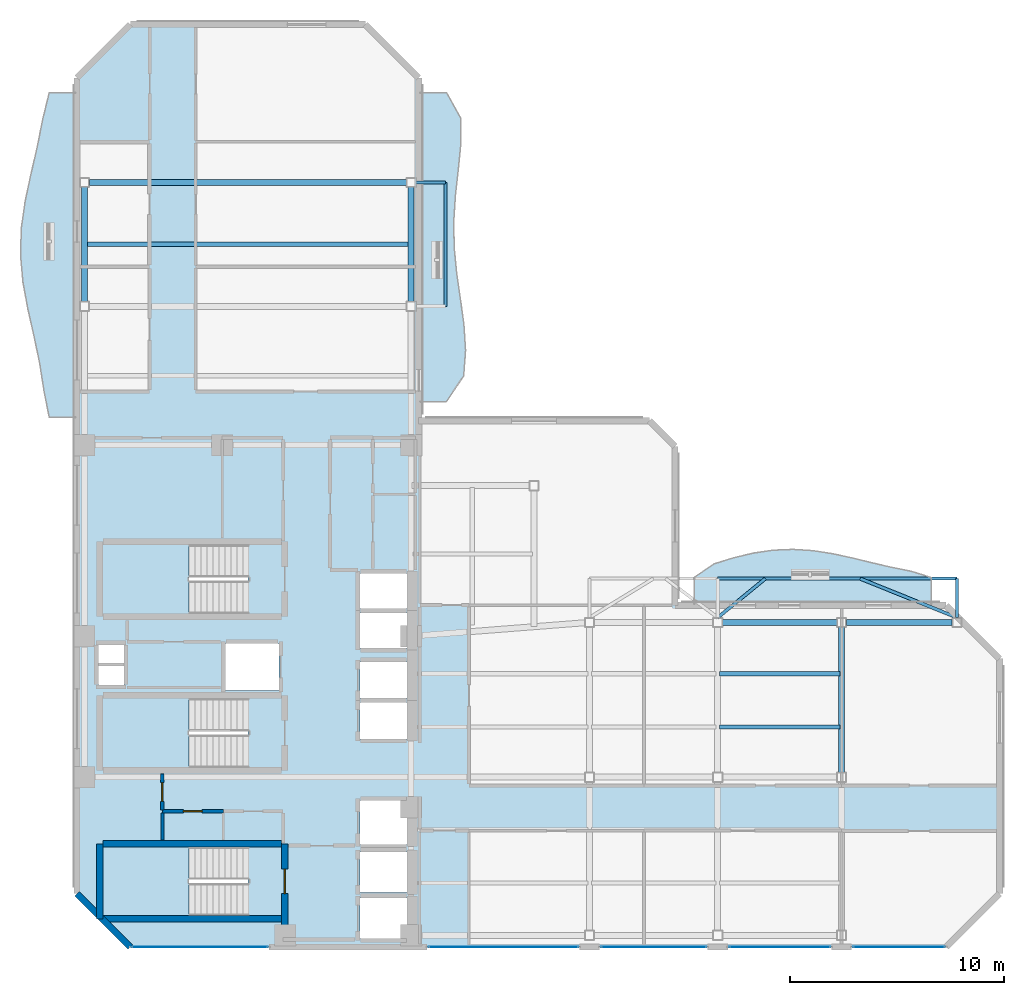
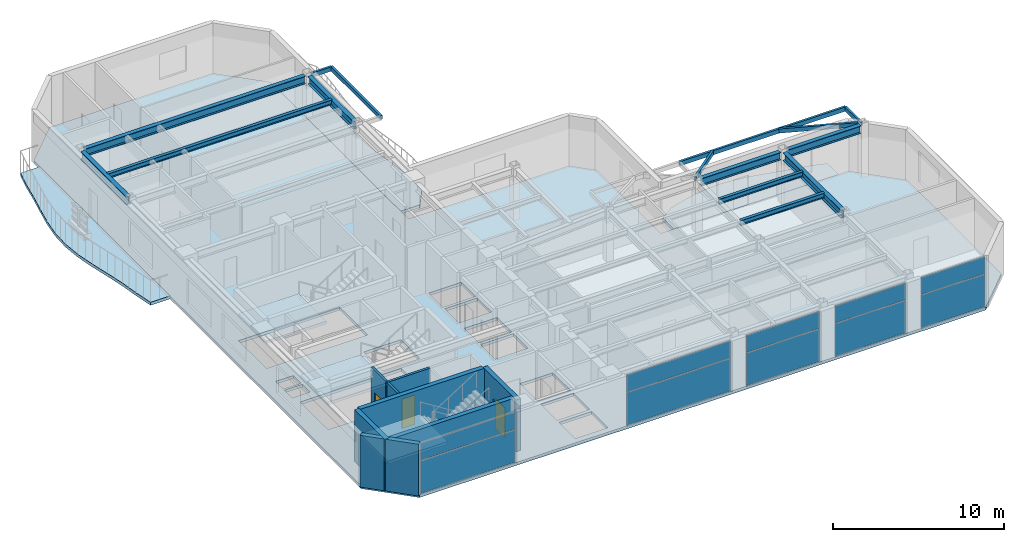
# One storey, part 8 of 17: 15 beams, 10 plates, 8 walls, 7 slabs, 3 doors, 3 openings, 8 elements without a shape of their own.
"""IFC4 building model written with IfcOpenShell, lengths in metres."""

from ifc_helpers import new_model, si_unit, direction, frame, frame_2d, origin, origin_2d, place, context, subcontext, project, spatial, polyline, rectangle, hollow_rectangle, i_section, outline, extrude, material, layer, layer_set, material_profile, profile_set, type_object, element, fill, aggregate, save


model = new_model("IFC4")

# Units and contexts
model_context = context("Model", 3, precision=1e-05, world=origin(), true_north=direction((0.0, 1.0)))
body_context = subcontext(model_context, "Body", "Model", "MODEL_VIEW")
ifc_project = project(units=[si_unit("LENGTHUNIT", "METRE"), si_unit("AREAUNIT", "SQUARE_METRE"), si_unit("VOLUMEUNIT", "CUBIC_METRE"), si_unit("PLANEANGLEUNIT", "RADIAN"), si_unit("MASSUNIT", "GRAM", prefix="KILO")], contexts=[model_context])

# Site, building, storey
site_placement = place(None, origin())
site = spatial("IfcSite", under=ifc_project, at=site_placement, CompositionType="ELEMENT")
building_placement = place(site_placement, origin())
building = spatial("IfcBuilding", under=site, at=building_placement, Name="Mawjaban Terraces University", CompositionType="ELEMENT")
storey_placement = place(building_placement, frame((0.0, 0.0, 183.60009765625)))
storey = spatial("IfcBuildingStorey", under=building, at=storey_placement, Name="L44", CompositionType="ELEMENT", Elevation=183.60009765625)

# Beams
ifc_material_1 = material(Name="Steel EN 10210-1 S355J2H", Category="steel")
ifc_material_profile_1 = material_profile(ifc_material_1, hollow_rectangle(XDim=0.14990234375, YDim=0.300048828125, WallThickness=0.012451171875, at=origin_2d()), Name="RHS300X150X12.5")
ifc_profile_set_1 = profile_set([ifc_material_profile_1], Name="Steel EN 10210-1 S355J2H")
beam_type_1 = type_object("IfcBeamType", Name="BalconyCantileverSpandrel_RHS", PredefinedType="SPANDREL", material=ifc_profile_set_1)
beam_1_placement = place(storey_placement, frame((63.199951171875, 15.425048828125, 3.539794921875), z_axis=(0.0, 1.0, 0.0), x_axis=(-1.0, 0.0, 0.0)))
element("IfcBeam", 1, at=beam_1_placement, inside=storey, type_object=beam_type_1, Name="L44 Exterior Outrigger BAL-L45-N.2", PredefinedType="SPANDREL", context=body_context, shape_type="SweptSolid", body=[
    extrude(hollow_rectangle(XDim=0.14990234375, YDim=0.300048828125, WallThickness=0.012451171875, at=origin_2d()), origin(), (0.0, 0.0, 1.0), 1.824951171875),
])
beam_2_placement = place(storey_placement, frame((52.0, 17.25, 3.539794921875), z_axis=(1.0, 0.0, 0.0), x_axis=(0.0, 1.0, 0.0)))
element("IfcBeam", 2, at=beam_2_placement, inside=storey, type_object=beam_type_1, Name="L44 Exterior Edge Spandrel BAL-L45-N", PredefinedType="SPANDREL", context=body_context, shape_type="SweptSolid", body=[
    extrude(hollow_rectangle(XDim=0.14990234375, YDim=0.300048828125, WallThickness=0.012451171875, at=origin_2d()), origin(), (0.0, 0.0, 1.0), 11.199951171875),
])
beam_3_placement = place(storey_placement, frame((52.0, 15.425048828125, 3.539794921875), z_axis=(0.773885570903, 0.633325448051, 0.0), x_axis=(-0.633325448051, 0.773885570903, 0.0)))
element("IfcBeam", 3, at=beam_3_placement, inside=storey, type_object=beam_type_1, Name="L44 Exterior Diagonal Strut BAL-L45-N.1", PredefinedType="SPANDREL", context=body_context, shape_type="SweptSolid", body=[
    extrude(hollow_rectangle(XDim=0.14990234375, YDim=0.300048828125, WallThickness=0.012451171875, at=origin_2d()), origin(), (0.0, 0.0, 1.0), 2.881591796875),
])
beam_4_placement = place(storey_placement, frame((63.199951171875, 15.425048828125, 3.539794921875), z_axis=(-0.927560275354, 0.373673568217, 0.0), x_axis=(-0.373673568217, -0.927560275354, 0.0)))
element("IfcBeam", 4, at=beam_4_placement, inside=storey, type_object=beam_type_1, Name="L44 Exterior Diagonal Strut BAL-L45-N.2", PredefinedType="SPANDREL", context=body_context, shape_type="SweptSolid", body=[
    extrude(hollow_rectangle(XDim=0.14990234375, YDim=0.300048828125, WallThickness=0.012451171875, at=origin_2d()), origin(), (0.0, 0.0, 1.0), 4.8837890625),
])
beam_5_placement = place(storey_placement, frame((37.875, 35.800048828125, 3.539794921875), z_axis=(1.0, 0.0, 0.0), x_axis=(0.0, 1.0, 0.0)))
element("IfcBeam", 5, at=beam_5_placement, inside=storey, type_object=beam_type_1, Name="L44 Exterior Outrigger BAL-L45-E.2", PredefinedType="SPANDREL", context=body_context, shape_type="SweptSolid", body=[
    extrude(hollow_rectangle(XDim=0.14990234375, YDim=0.300048828125, WallThickness=0.012451171875, at=origin_2d()), origin(), (0.0, 0.0, 1.0), 1.375),
])
beam_6_placement = place(storey_placement, frame((39.25, 30.0, 3.539794921875), z_axis=(0.0, 1.0, 0.0), x_axis=(-1.0, 0.0, 0.0)))
element("IfcBeam", 6, at=beam_6_placement, inside=storey, type_object=beam_type_1, Name="L44 Exterior Edge Spandrel BAL-L45-E", PredefinedType="SPANDREL", context=body_context, shape_type="SweptSolid", body=[
    extrude(hollow_rectangle(XDim=0.14990234375, YDim=0.300048828125, WallThickness=0.012451171875, at=origin_2d()), origin(), (0.0, 0.0, 1.0), 5.800048828125),
])
ifc_material_2 = material(Name="Steel ASTM A572 Grade 50", Category="steel")
ifc_material_profile_2 = material_profile(ifc_material_2, i_section(OverallWidth=0.281005859375, OverallDepth=0.551025390625, WebThickness=0.01513671875, FlangeThickness=0.02587890625, at=origin_2d()), Name="W530X182")
ifc_profile_set_2 = profile_set([ifc_material_profile_2], Name="Steel ASTM A572 Grade 50")
beam_type_2 = type_object("IfcBeamType", Name="Beam_B_W530X182", PredefinedType="BEAM", material=ifc_profile_set_2)
beam_7_placement = place(storey_placement, frame((52.22509765625, 15.199951171875, 3.413818359375), z_axis=(1.0, 0.0, 0.0), x_axis=(0.0, 1.0, 0.0)))
element("IfcBeam", 7, at=beam_7_placement, inside=storey, type_object=beam_type_2, Name="L44 Beam BM-L44-EW-08", PredefinedType="BEAM", context=body_context, shape_type="SweptSolid", body=[
    extrude(i_section(OverallWidth=0.281005859375, OverallDepth=0.551025390625, WebThickness=0.01513671875, FlangeThickness=0.02587890625, at=origin_2d()), origin(), (0.0, 0.0, 1.0), 5.349853515625),
])
beam_8_placement = place(storey_placement, frame((58.02490234375, 15.199951171875, 3.413818359375), z_axis=(1.0, 0.0, 0.0), x_axis=(0.0, 1.0, 0.0)))
element("IfcBeam", 8, at=beam_8_placement, inside=storey, type_object=beam_type_2, Name="L44 Beam BM-L44-EW-09", PredefinedType="BEAM", context=body_context, shape_type="SweptSolid", body=[
    extrude(i_section(OverallWidth=0.281005859375, OverallDepth=0.551025390625, WebThickness=0.01513671875, FlangeThickness=0.02587890625, at=origin_2d()), origin(), (0.0, 0.0, 1.0), 4.9501953125),
])
beam_9_placement = place(storey_placement, frame((22.574951171875, 35.800048828125, 3.413818359375), z_axis=(1.0, 0.0, 0.0), x_axis=(0.0, 1.0, 0.0)))
element("IfcBeam", 9, at=beam_9_placement, inside=storey, type_object=beam_type_2, Name="L44 Beam BM-L44-EW-13", PredefinedType="BEAM", context=body_context, shape_type="SweptSolid", body=[
    extrude(i_section(OverallWidth=0.281005859375, OverallDepth=0.551025390625, WebThickness=0.01513671875, FlangeThickness=0.02587890625, at=origin_2d()), origin(), (0.0, 0.0, 1.0), 14.85009765625),
])
for number, where, z_axis, x_axis, name in (
    (10, (22.35009765625, 30.22509765625, 3.413818359375), (0.0, 1.0, 0.0), (-1.0, 0.0, 0.0), "L44 Beam BM-L44-NS-04"),
    (11, (37.64990234375, 30.22509765625, 3.413818359375), (0.0, 1.0, 0.0), (-1.0, 0.0, 0.0), "L44 Beam BM-L44-NS-09"),
):
    element("IfcBeam", number, at=place(storey_placement, frame(where, z_axis=z_axis, x_axis=x_axis)), inside=storey, type_object=beam_type_2, Name=name, PredefinedType="BEAM", context=body_context, shape_type="SweptSolid", body=[
        extrude(i_section(OverallWidth=0.281005859375, OverallDepth=0.551025390625, WebThickness=0.01513671875, FlangeThickness=0.02587890625, at=origin_2d()), origin(), (0.0, 0.0, 1.0), 5.349853515625),
    ])
beam_10_placement = place(storey_placement, frame((57.800048828125, 8.175048828125, 3.413818359375), z_axis=(0.0, 1.0, 0.0), x_axis=(-1.0, 0.0, 0.0)))
element("IfcBeam", 12, at=beam_10_placement, inside=storey, type_object=beam_type_2, Name="L44 Beam BM-L44-NS-15", PredefinedType="BEAM", context=body_context, shape_type="SweptSolid", body=[
    extrude(i_section(OverallWidth=0.281005859375, OverallDepth=0.551025390625, WebThickness=0.01513671875, FlangeThickness=0.02587890625, at=origin_2d()), origin(), (0.0, 0.0, 1.0), 6.800048828125),
])
ifc_material_profile_3 = material_profile(ifc_material_2, i_section(OverallWidth=0.202880859375, OverallDepth=0.346923828125, WebThickness=0.0078125, FlangeThickness=0.013427734375, at=origin_2d()), Name="W360X64")
ifc_profile_set_3 = profile_set([ifc_material_profile_3], Name="Steel ASTM A572 Grade 50")
beam_type_3 = type_object("IfcBeamType", Name="Beam_J_W360X64", PredefinedType="JOIST", material=ifc_profile_set_3)
for number, where, z_axis, x_axis, name in (
    (13, (52.080078125, 10.300048828125, 3.516845703125), (1.0, 0.0, 0.0), (0.0, 1.0, 0.0), "L44 Composite Joist JST-L44-09"),
    (14, (52.080078125, 12.800048828125, 3.516845703125), (1.0, 0.0, 0.0), (0.0, 1.0, 0.0), "L44 Composite Joist JST-L44-12"),
):
    element("IfcBeam", number, at=place(storey_placement, frame(where, z_axis=z_axis, x_axis=x_axis)), inside=storey, type_object=beam_type_3, Name=name, PredefinedType="JOIST", context=body_context, shape_type="SweptSolid", body=[
        extrude(i_section(OverallWidth=0.202880859375, OverallDepth=0.346923828125, WebThickness=0.0078125, FlangeThickness=0.013427734375, at=origin_2d()), origin(), (0.0, 0.0, 1.0), 5.639892578125),
    ])
beam_11_placement = place(storey_placement, frame((22.429931640625, 32.89990234375, 3.516845703125), z_axis=(1.0, 0.0, 0.0), x_axis=(0.0, 1.0, 0.0)))
element("IfcBeam", 15, at=beam_11_placement, inside=storey, type_object=beam_type_3, Name="L44 Composite Joist JST-L44-15", PredefinedType="JOIST", context=body_context, shape_type="SweptSolid", body=[
    extrude(i_section(OverallWidth=0.202880859375, OverallDepth=0.346923828125, WebThickness=0.0078125, FlangeThickness=0.013427734375, at=origin_2d()), origin(), (0.0, 0.0, 1.0), 15.14013671875),
])

# Slabs
ifc_material_3 = material(Name="Concrete C40/50", Category="concrete")
ifc_layer_1 = layer(ifc_material_3, 0.2099609375)
ifc_layer_set_1 = layer_set([ifc_layer_1], Name="Concrete C40/50")
slab_type_1 = type_object("IfcSlabType", Name="BalconySlab_210_Ext", PredefinedType="FLOOR", material=ifc_layer_set_1)
slab_1_placement = place(storey_placement, frame((0.0, 0.0, -0.210205078125)))
element("IfcSlab", 16, at=slab_1_placement, inside=storey, type_object=slab_type_1, Name="L44 Planted Balcony Slab west", PredefinedType="FLOOR", context=body_context, shape_type="SweptSolid", body=[
    extrude(outline(polyline([(22.010009765625, 24.800048828125), (22.010009765625, 40.0), (20.699951171875, 40.0), (20.39111328125, 38.73291015625), (20.14111328125, 37.467041015625), (19.847900390625, 36.199951171875), (19.575927734375, 34.93310546875), (19.39501953125, 33.6669921875), (19.35595703125, 32.39990234375), (19.469970703125, 31.133056640625), (19.701904296875, 29.866943359375), (19.988037109375, 28.60009765625), (20.25390625, 27.3330078125), (20.450927734375, 26.06689453125), (20.699951171875, 24.800048828125), (22.010009765625, 24.800048828125)])), origin(), (0.0, 0.0, 1.0), 0.210205078125),
])
slab_2_placement = place(storey_placement, frame((0.0, 0.0, -0.210205078125)))
element("IfcSlab", 17, at=slab_2_placement, inside=storey, type_object=slab_type_1, Name="L44 Planted Balcony Slab inner_north", PredefinedType="FLOOR", context=body_context, shape_type="SweptSolid", body=[
    extrude(outline(polyline([(50.89990234375, 15.989990234375), (62.0, 15.989990234375), (62.0, 17.300048828125), (61.074951171875, 17.587890625), (60.14990234375, 17.77490234375), (59.22509765625, 17.989990234375), (58.300048828125, 18.215087890625), (57.375, 18.416015625), (56.449951171875, 18.55908203125), (55.52490234375, 18.618896484375), (54.60009765625, 18.580078125), (53.675048828125, 18.445068359375), (52.75, 18.22607421875), (51.824951171875, 17.93798828125), (50.89990234375, 17.300048828125), (50.89990234375, 15.989990234375)])), origin(), (0.0, 0.0, 1.0), 0.210205078125),
])
slab_3_placement = place(storey_placement, frame((0.0, 0.0, -0.210205078125)))
element("IfcSlab", 18, at=slab_3_placement, inside=storey, type_object=slab_type_1, Name="L44 Planted Balcony Slab inner_east", PredefinedType="FLOOR", context=body_context, shape_type="SweptSolid", body=[
    extrude(outline(polyline([(39.300048828125, 25.5400390625), (40.10693359375, 26.7451171875), (40.194091796875, 27.949951171875), (40.114990234375, 29.155029296875), (39.949951171875, 30.360107421875), (39.77587890625, 31.56494140625), (39.659912109375, 32.77001953125), (39.64111328125, 33.97509765625), (39.717041015625, 35.179931640625), (39.85107421875, 36.385009765625), (39.969970703125, 37.590087890625), (39.97509765625, 38.794921875), (39.300048828125, 40.0), (37.989990234375, 40.0), (37.989990234375, 25.5400390625), (39.300048828125, 25.5400390625)])), origin(), (0.0, 0.0, 1.0), 0.210205078125),
])
ifc_layer_2 = layer(ifc_material_3, 0.2099609375)
ifc_layer_set_2 = layer_set([ifc_layer_2], Name="Concrete C40/50")
slab_type_2 = type_object("IfcSlabType", Name="CompositeSlab_210", PredefinedType="FLOOR", material=ifc_layer_set_2)
slab_4_placement = place(storey_placement, frame((0.0, 0.0, -0.210205078125)))
element("IfcSlab", 19, at=slab_4_placement, inside=storey, type_object=slab_type_2, Name="L44 Primary Structural Slab", PredefinedType="FLOOR", context=body_context, shape_type="SweptSolid", body=[
    extrude(outline(polyline([(24.5, 0.0), (62.699951171875, 0.0), (65.199951171875, 2.5), (65.199951171875, 13.5), (62.699951171875, 16.0), (50.0, 16.0), (50.0, 23.43994140625), (48.800048828125, 24.639892578125), (38.0, 24.639892578125), (38.0, 40.699951171875), (35.5, 43.199951171875), (24.5, 43.199951171875), (22.0, 40.699951171875), (22.0, 2.5), (24.5, 0.0)]), holes=[polyline([(30.014892578125, 4.699951171875), (23.199951171875, 4.699951171875), (23.199951171875, 1.449951171875), (30.014892578125, 1.449951171875), (30.014892578125, 4.699951171875)]), polyline([(30.014892578125, 18.85009765625), (23.199951171875, 18.85009765625), (23.199951171875, 15.60009765625), (30.014892578125, 15.60009765625), (30.014892578125, 18.85009765625)]), polyline([(30.014892578125, 11.64990234375), (23.199951171875, 11.64990234375), (23.199951171875, 8.39990234375), (30.014892578125, 8.39990234375), (30.014892578125, 11.64990234375)]), polyline([(35.25, 0.39990234375), (37.449951171875, 0.39990234375), (37.449951171875, 2.300048828125), (35.25, 2.300048828125), (35.25, 0.39990234375)]), polyline([(35.25, 2.550048828125), (37.449951171875, 2.550048828125), (37.449951171875, 4.449951171875), (35.25, 4.449951171875), (35.25, 2.550048828125)]), polyline([(35.25, 4.800048828125), (37.449951171875, 4.800048828125), (37.449951171875, 6.85009765625), (35.25, 6.85009765625), (35.25, 4.800048828125)]), polyline([(35.25, 9.75), (37.449951171875, 9.75), (37.449951171875, 11.449951171875), (35.25, 11.449951171875), (35.25, 9.75)]), polyline([(35.25, 11.64990234375), (37.449951171875, 11.64990234375), (37.449951171875, 13.35009765625), (35.25, 13.35009765625), (35.25, 11.64990234375)]), polyline([(28.949951171875, 12.0), (31.449951171875, 12.0), (31.449951171875, 14.199951171875), (28.949951171875, 14.199951171875), (28.949951171875, 12.0)]), polyline([(35.25, 14.0), (37.449951171875, 14.0), (37.449951171875, 15.64990234375), (35.25, 15.64990234375), (35.25, 14.0)]), polyline([(35.25, 15.85009765625), (37.449951171875, 15.85009765625), (37.449951171875, 17.5), (35.25, 17.5), (35.25, 15.85009765625)]), polyline([(23.0, 12.25), (24.199951171875, 12.25), (24.199951171875, 13.14990234375), (23.0, 13.14990234375), (23.0, 12.25)]), polyline([(23.0, 13.300048828125), (24.199951171875, 13.300048828125), (24.199951171875, 14.179931640625), (23.0, 14.179931640625), (23.0, 13.300048828125)])]), origin(), (0.0, 0.0, 1.0), 0.210205078125),
])

# Stair, slab
stair_type = type_object("IfcStairType", Name="Stair_Core1550_H39", PredefinedType="HALF_TURN_STAIR", material=ifc_material_3)
stair_1_placement = place(storey_placement, origin())
stair_1 = element("IfcStair", 20, at=stair_1_placement, inside=storey, type_object=stair_type, Name="L44 Core Exit Stair 1", PredefinedType="HALF_TURN_STAIR")
ifc_layer_3 = layer(ifc_material_3, 0.199951171875)
ifc_layer_set_3 = layer_set([ifc_layer_3], Name="Concrete C40/50")
slab_type_3 = type_object("IfcSlabType", Name="StairLandingSlab_200", PredefinedType="LANDING", material=ifc_layer_set_3)
slab_5_placement = place(storey_placement, frame((0.0, 0.0, 1.75)))
slab_5 = element("IfcSlab", 21, at=slab_5_placement, type_object=slab_type_3, Name="ST-1 landing 1", PredefinedType="LANDING", context=body_context, shape_type="SweptSolid", body=[
    extrude(outline(polyline([(27.25, 4.699951171875), (23.199951171875, 4.699951171875), (23.199951171875, 1.449951171875), (27.25, 1.449951171875), (27.25, 4.699951171875)])), origin(), (0.0, 0.0, 1.0), 0.199951171875),
])
aggregate(stair_1, [slab_5])

stair_2_placement = place(storey_placement, origin())
stair_2 = element("IfcStair", 22, at=stair_2_placement, inside=storey, type_object=stair_type, Name="L44 Core Exit Stair 2", PredefinedType="HALF_TURN_STAIR")
slab_6_placement = place(storey_placement, frame((0.0, 0.0, 1.75)))
slab_6 = element("IfcSlab", 23, at=slab_6_placement, type_object=slab_type_3, Name="ST-2 landing 1", PredefinedType="LANDING", context=body_context, shape_type="SweptSolid", body=[
    extrude(outline(polyline([(27.25, 18.85009765625), (23.199951171875, 18.85009765625), (23.199951171875, 15.60009765625), (27.25, 15.60009765625), (27.25, 18.85009765625)])), origin(), (0.0, 0.0, 1.0), 0.199951171875),
])
aggregate(stair_2, [slab_6])

stair_3_placement = place(storey_placement, origin())
stair_3 = element("IfcStair", 24, at=stair_3_placement, inside=storey, type_object=stair_type, Name="L44 Core Exit Stair 3", PredefinedType="HALF_TURN_STAIR")
slab_7_placement = place(storey_placement, frame((0.0, 0.0, 1.75)))
slab_7 = element("IfcSlab", 25, at=slab_7_placement, type_object=slab_type_3, Name="ST-3 landing 1", PredefinedType="LANDING", context=body_context, shape_type="SweptSolid", body=[
    extrude(outline(polyline([(27.25, 11.64990234375), (23.199951171875, 11.64990234375), (23.199951171875, 8.39990234375), (27.25, 8.39990234375), (27.25, 11.64990234375)])), origin(), (0.0, 0.0, 1.0), 0.199951171875),
])
aggregate(stair_3, [slab_7])

# Curtain wall, plates
ifc_material_4 = material(Name="Anodised aluminium 6063-T6 and solar-control low-E glass", Category="aluminium")
ifc_layer_4 = layer(ifc_material_4, 0.159912109375)
ifc_layer_set_4 = layer_set([ifc_layer_4], Name="Anodised aluminium 6063-T6 and solar-control low-E glass")
curtain_wall_type = type_object("IfcCurtainWallType", Name="CWSystem_03_NorthWing", PredefinedType="NOTDEFINED", material=ifc_layer_set_4)
curtain_wall_1_placement = place(storey_placement, origin())
curtain_wall_1 = element("IfcCurtainWall", 26, at=curtain_wall_1_placement, inside=storey, type_object=curtain_wall_type, Name="L44 Curtain Wall CW-03 Run 1.1", PredefinedType="NOTDEFINED")
ifc_material_5 = material(Name="Low-E solar-control double glazing", Category="glass")
ifc_layer_5 = layer(ifc_material_5, 0.028076171875)
ifc_layer_set_5 = layer_set([ifc_layer_5], Name="Low-E solar-control double glazing")
plate_type = type_object("IfcPlateType", Name="VisionPanel_CW-03", PredefinedType="CURTAIN_PANEL", material=ifc_layer_set_5)
plate_1_placement = place(storey_placement, frame((27.75, 0.0, 0.059814453125), z_axis=(0.0, 0.0, 1.0), x_axis=(1.0, 0.0, 0.0)))
plate_1 = element("IfcPlate", 27, at=plate_1_placement, type_object=plate_type, Name="CW-03 panel 1.1", PredefinedType="CURTAIN_PANEL", context=body_context, shape_type="SweptSolid", body=[
    extrude(rectangle(XDim=6.3701171875, YDim=0.028076171875, at=origin_2d()), origin(), (0.0, 0.0, 1.0), 2.30810546875),
])
plate_2_placement = place(storey_placement, frame((27.75, 0.0, 2.427734375), z_axis=(0.0, 0.0, 1.0), x_axis=(1.0, 0.0, 0.0)))
plate_2 = element("IfcPlate", 28, at=plate_2_placement, type_object=plate_type, Name="CW-03 panel 1.2", PredefinedType="CURTAIN_PANEL", context=body_context, shape_type="SweptSolid", body=[
    extrude(rectangle(XDim=6.3701171875, YDim=0.028076171875, at=origin_2d()), origin(), (0.0, 0.0, 1.0), 1.201904296875),
])
aggregate(curtain_wall_1, [plate_1, plate_2])

curtain_wall_2_placement = place(storey_placement, origin())
curtain_wall_2 = element("IfcCurtainWall", 29, at=curtain_wall_2_placement, inside=storey, type_object=curtain_wall_type, Name="L44 Curtain Wall CW-03 Run 1.2", PredefinedType="NOTDEFINED")
plate_3_placement = place(storey_placement, frame((41.96240234375, 0.0, 0.059814453125), z_axis=(0.0, 0.0, 1.0), x_axis=(1.0, 0.0, 0.0)))
plate_3 = element("IfcPlate", 30, at=plate_3_placement, type_object=plate_type, Name="CW-03 panel 1.1", PredefinedType="CURTAIN_PANEL", context=body_context, shape_type="SweptSolid", body=[
    extrude(rectangle(XDim=6.9951171875, YDim=0.028076171875, at=origin_2d()), origin(), (0.0, 0.0, 1.0), 2.30810546875),
])
plate_4_placement = place(storey_placement, frame((41.96240234375, 0.0, 2.427734375), z_axis=(0.0, 0.0, 1.0), x_axis=(1.0, 0.0, 0.0)))
plate_4 = element("IfcPlate", 31, at=plate_4_placement, type_object=plate_type, Name="CW-03 panel 1.2", PredefinedType="CURTAIN_PANEL", context=body_context, shape_type="SweptSolid", body=[
    extrude(rectangle(XDim=6.9951171875, YDim=0.028076171875, at=origin_2d()), origin(), (0.0, 0.0, 1.0), 1.201904296875),
])
aggregate(curtain_wall_2, [plate_3, plate_4])

curtain_wall_3_placement = place(storey_placement, origin())
curtain_wall_3 = element("IfcCurtainWall", 32, at=curtain_wall_3_placement, inside=storey, type_object=curtain_wall_type, Name="L44 Curtain Wall CW-03 Run 1.3", PredefinedType="NOTDEFINED")
plate_5_placement = place(storey_placement, frame((49.0, 0.0, 0.059814453125), z_axis=(0.0, 0.0, 1.0), x_axis=(1.0, 0.0, 0.0)))
plate_5 = element("IfcPlate", 33, at=plate_5_placement, type_object=plate_type, Name="CW-03 panel 1.1", PredefinedType="CURTAIN_PANEL", context=body_context, shape_type="SweptSolid", body=[
    extrude(rectangle(XDim=4.919921875, YDim=0.028076171875, at=origin_2d()), origin(), (0.0, 0.0, 1.0), 2.30810546875),
])
plate_6_placement = place(storey_placement, frame((49.0, 0.0, 2.427734375), z_axis=(0.0, 0.0, 1.0), x_axis=(1.0, 0.0, 0.0)))
plate_6 = element("IfcPlate", 34, at=plate_6_placement, type_object=plate_type, Name="CW-03 panel 1.2", PredefinedType="CURTAIN_PANEL", context=body_context, shape_type="SweptSolid", body=[
    extrude(rectangle(XDim=4.919921875, YDim=0.028076171875, at=origin_2d()), origin(), (0.0, 0.0, 1.0), 1.201904296875),
])
aggregate(curtain_wall_3, [plate_5, plate_6])

curtain_wall_4_placement = place(storey_placement, origin())
curtain_wall_4 = element("IfcCurtainWall", 35, at=curtain_wall_4_placement, inside=storey, type_object=curtain_wall_type, Name="L44 Curtain Wall CW-03 Run 1.4", PredefinedType="NOTDEFINED")
plate_7_placement = place(storey_placement, frame((54.89990234375, 0.0, 0.059814453125), z_axis=(0.0, 0.0, 1.0), x_axis=(1.0, 0.0, 0.0)))
plate_7 = element("IfcPlate", 36, at=plate_7_placement, type_object=plate_type, Name="CW-03 panel 1.1", PredefinedType="CURTAIN_PANEL", context=body_context, shape_type="SweptSolid", body=[
    extrude(rectangle(XDim=4.719970703125, YDim=0.028076171875, at=origin_2d()), origin(), (0.0, 0.0, 1.0), 2.30810546875),
])
plate_8_placement = place(storey_placement, frame((54.89990234375, 0.0, 2.427734375), z_axis=(0.0, 0.0, 1.0), x_axis=(1.0, 0.0, 0.0)))
plate_8 = element("IfcPlate", 37, at=plate_8_placement, type_object=plate_type, Name="CW-03 panel 1.2", PredefinedType="CURTAIN_PANEL", context=body_context, shape_type="SweptSolid", body=[
    extrude(rectangle(XDim=4.719970703125, YDim=0.028076171875, at=origin_2d()), origin(), (0.0, 0.0, 1.0), 1.201904296875),
])
aggregate(curtain_wall_4, [plate_7, plate_8])

curtain_wall_5_placement = place(storey_placement, origin())
curtain_wall_5 = element("IfcCurtainWall", 38, at=curtain_wall_5_placement, inside=storey, type_object=curtain_wall_type, Name="L44 Curtain Wall CW-03 Run 1.5", PredefinedType="NOTDEFINED")
plate_9_placement = place(storey_placement, frame((60.487548828125, 0.0, 0.059814453125), z_axis=(0.0, 0.0, 1.0), x_axis=(1.0, 0.0, 0.0)))
plate_9 = element("IfcPlate", 39, at=plate_9_placement, type_object=plate_type, Name="CW-03 panel 1.1", PredefinedType="CURTAIN_PANEL", context=body_context, shape_type="SweptSolid", body=[
    extrude(rectangle(XDim=4.294921875, YDim=0.028076171875, at=origin_2d()), origin(), (0.0, 0.0, 1.0), 2.30810546875),
])
plate_10_placement = place(storey_placement, frame((60.487548828125, 0.0, 2.427734375), z_axis=(0.0, 0.0, 1.0), x_axis=(1.0, 0.0, 0.0)))
plate_10 = element("IfcPlate", 40, at=plate_10_placement, type_object=plate_type, Name="CW-03 panel 1.2", PredefinedType="CURTAIN_PANEL", context=body_context, shape_type="SweptSolid", body=[
    extrude(rectangle(XDim=4.294921875, YDim=0.028076171875, at=origin_2d()), origin(), (0.0, 0.0, 1.0), 1.201904296875),
])
aggregate(curtain_wall_5, [plate_9, plate_10])

# Wall, opening, door
ifc_material_6 = material(Name="Fire-rated gypsum board on steel stud", Category="steel")
ifc_layer_6 = layer(ifc_material_6, 0.159912109375)
ifc_layer_set_6 = layer_set([ifc_layer_6], Name="Fire-rated gypsum board on steel stud")
wall_type_1 = type_object("IfcWallType", Name="CorridorPartition_160", PredefinedType="PARTITIONING", material=ifc_layer_set_6)
wall_1_placement = place(storey_placement, frame((26.0, 6.35009765625, 0.0), z_axis=(0.0, 0.0, 1.0), x_axis=(1.0, 0.0, 0.0)))
wall_1 = element("IfcWall", 41, at=wall_1_placement, inside=storey, type_object=wall_type_1, Name="L44 Core Washroom Lobby Partition 6", PredefinedType="PARTITIONING", context=body_context, shape_type="SweptSolid", body=[
    extrude(rectangle(XDim=2.85009765625, YDim=0.159912109375, at=frame_2d((1.425048828125, 0.0))), origin(), (0.0, 0.0, 1.0), 3.68994140625),
])
opening_1_placement = place(wall_1_placement, frame((0.985107421875, 0.0, 0.0)))
opening_1 = element("IfcOpeningElement", 42, at=opening_1_placement, cuts=wall_1, Name="Opening ID-088", PredefinedType="OPENING", context=body_context, shape_type="SweptSolid", body=[
    extrude(rectangle(XDim=0.8798828125, YDim=2.10009765625, at=frame_2d((0.43994140625, 1.050048828125))), frame((0.0, 0.08984375, 0.0), z_axis=(0.0, -1.0, 0.0), x_axis=(1.0, 0.0, 0.0)), (0.0, 0.0, 1.0), 0.179931640625),
])
ifc_material_7 = material(Name="Powder-coated steel frame and solid acoustic timber leaf", Category="steel")
door_type_1 = type_object("IfcDoorType", Name="ToiletDoor_880x2100", OperationType="NOTDEFINED", PredefinedType="DOOR", material=ifc_material_7)
door_1_placement = place(opening_1_placement, origin())
door_1 = element("IfcDoor", 43, at=door_1_placement, inside=storey, type_object=door_type_1, Name="L44 Male Toilet Door", OperationType="SINGLE_SWING_RIGHT", OverallHeight=2.10009765625, OverallWidth=0.8798828125, PredefinedType="DOOR", context=body_context, shape_type="SweptSolid", body=[
    extrude(rectangle(XDim=0.8798828125, YDim=2.10009765625, at=frame_2d((0.43994140625, 1.050048828125))), frame((0.0, 0.02490234375, 0.0), z_axis=(0.0, -1.0, 0.0), x_axis=(1.0, 0.0, 0.0)), (0.0, 0.0, 1.0), 0.050048828125),
])
fill(opening_1, door_1)

wall_2_placement = place(storey_placement, frame((26.0, 8.090087890625, 0.0), z_axis=(0.0, 0.0, 1.0), x_axis=(0.0, -1.0, 0.0)))
wall_2 = element("IfcWall", 44, at=wall_2_placement, inside=storey, type_object=wall_type_1, Name="L44 Core Washroom Lobby Partition 34", PredefinedType="PARTITIONING", context=body_context, shape_type="SweptSolid", body=[
    extrude(rectangle(XDim=1.6650390625, YDim=0.159912109375, at=frame_2d((0.83251953125, 0.0))), origin(), (0.0, 0.0, 1.0), 3.68994140625),
])
opening_2_placement = place(wall_2_placement, frame((0.39306640625, 0.0, 0.0)))
opening_2 = element("IfcOpeningElement", 45, at=opening_2_placement, cuts=wall_2, Name="Opening ID-088", PredefinedType="OPENING", context=body_context, shape_type="SweptSolid", body=[
    extrude(rectangle(XDim=0.8798828125, YDim=2.10009765625, at=frame_2d((0.43994140625, 1.050048828125))), frame((0.0, 0.08984375, 0.0), z_axis=(0.0, -1.0, 0.0), x_axis=(1.0, 0.0, 0.0)), (0.0, 0.0, 1.0), 0.179931640625),
])
door_2_placement = place(opening_2_placement, origin())
door_2 = element("IfcDoor", 46, at=door_2_placement, inside=storey, type_object=door_type_1, Name="L44 Ablution Room Door", OperationType="SINGLE_SWING_LEFT", OverallHeight=2.10009765625, OverallWidth=0.8798828125, PredefinedType="DOOR", context=body_context, shape_type="SweptSolid", body=[
    extrude(rectangle(XDim=0.8798828125, YDim=2.10009765625, at=frame_2d((0.43994140625, 1.050048828125))), frame((0.0, 0.02490234375, 0.0), z_axis=(0.0, -1.0, 0.0), x_axis=(1.0, 0.0, 0.0)), (0.0, 0.0, 1.0), 0.050048828125),
])
fill(opening_2, door_2)

# Walls
ifc_material_8 = material(Name="Insulated terracotta rainscreen on concrete backup C40/50", Category="masonry")
ifc_layer_7 = layer(ifc_material_8, 0.300048828125)
ifc_layer_set_7 = layer_set([ifc_layer_7], Name="Insulated terracotta rainscreen on concrete backup C40/50")
wall_type_2 = type_object("IfcWallType", Name="ExtTerracottaWall_300", PredefinedType="SOLIDWALL", material=ifc_layer_set_7)
wall_3_placement = place(storey_placement, frame((22.0, 2.5, 0.0), z_axis=(0.0, 0.0, 1.0), x_axis=(0.707106781187, -0.707106781187, 0.0)))
element("IfcWall", 47, at=wall_3_placement, inside=storey, type_object=wall_type_2, Name="L44 Exterior Terracotta Wall 14", PredefinedType="SOLIDWALL", context=body_context, shape_type="SweptSolid", body=[
    extrude(rectangle(XDim=3.53564453125, YDim=0.300048828125, at=frame_2d((1.767822265625, 0.0))), origin(), (0.0, 0.0, 1.0), 3.68994140625),
])
ifc_material_9 = material(Name="Concrete C60/75", Category="concrete")
ifc_layer_8 = layer(ifc_material_9, 0.300048828125)
ifc_layer_set_8 = layer_set([ifc_layer_8], Name="Concrete C60/75")
wall_type_3 = type_object("IfcWallType", Name="StairShaftWall_300", PredefinedType="SHEAR", material=ifc_layer_set_8)
wall_4_placement = place(storey_placement, frame((31.580078125, 4.830078125, 0.0), z_axis=(0.0, 0.0, 1.0), x_axis=(-1.0, 0.0, 0.0)))
element("IfcWall", 48, at=wall_4_placement, inside=storey, type_object=wall_type_3, Name="L44 ST-1 Stair Shaft Wall 1", PredefinedType="SHEAR", context=body_context, shape_type="SweptSolid", body=[
    extrude(rectangle(XDim=8.360107421875, YDim=0.300048828125, at=frame_2d((4.18017578125, 0.0))), origin(), (0.0, 0.0, 1.0), 3.68994140625),
])
wall_5_placement = place(storey_placement, frame((23.070068359375, 4.830078125, 0.0), z_axis=(0.0, 0.0, 1.0), x_axis=(0.0, -1.0, 0.0)))
element("IfcWall", 49, at=wall_5_placement, inside=storey, type_object=wall_type_3, Name="L44 ST-1 Stair Shaft Wall 2", PredefinedType="SHEAR", context=body_context, shape_type="SweptSolid", body=[
    extrude(rectangle(XDim=3.510009765625, YDim=0.300048828125, at=frame_2d((1.7548828125, 0.0))), origin(), (0.0, 0.0, 1.0), 3.68994140625),
])
wall_6_placement = place(storey_placement, frame((23.219970703125, 1.320068359375, 0.0), z_axis=(0.0, 0.0, 1.0), x_axis=(1.0, 0.0, 0.0)))
element("IfcWall", 50, at=wall_6_placement, inside=storey, type_object=wall_type_3, Name="L44 ST-1 Stair Shaft Wall 3", PredefinedType="SHEAR", context=body_context, shape_type="SweptSolid", body=[
    extrude(rectangle(XDim=8.360107421875, YDim=0.300048828125, at=frame_2d((4.18017578125, 0.0))), origin(), (0.0, 0.0, 1.0), 3.68994140625),
])

# Wall, opening, door
wall_7_placement = place(storey_placement, frame((31.72998046875, 0.9599609375, 0.0), z_axis=(0.0, 0.0, 1.0), x_axis=(0.0, 1.0, 0.0)))
wall_7 = element("IfcWall", 51, at=wall_7_placement, inside=storey, type_object=wall_type_3, Name="L44 ST-1 Stair Shaft Wall 4", PredefinedType="SHEAR", context=body_context, shape_type="SweptSolid", body=[
    extrude(rectangle(XDim=3.8701171875, YDim=0.300048828125, at=frame_2d((1.93505859375, 0.0))), origin(), (0.0, 0.0, 1.0), 3.68994140625),
])
opening_3_placement = place(wall_7_placement, frame((1.5400390625, 0.0, 0.0)))
opening_3 = element("IfcOpeningElement", 52, at=opening_3_placement, cuts=wall_7, Name="Opening FD-115", PredefinedType="OPENING", context=body_context, shape_type="SweptSolid", body=[
    extrude(rectangle(XDim=1.14990234375, YDim=2.14990234375, at=frame_2d((0.574951171875, 1.074951171875))), frame((0.0, 0.159912109375, 0.0), z_axis=(0.0, -1.0, 0.0), x_axis=(1.0, 0.0, 0.0)), (0.0, 0.0, 1.0), 0.320068359375),
])
ifc_material_10 = material(Name="Powder-coated steel frame and fire-rated steel-faced leaf", Category="steel")
door_type_2 = type_object("IfcDoorType", Name="FireStairDoor_1150x2150", OperationType="NOTDEFINED", PredefinedType="DOOR", material=ifc_material_10)
door_3_placement = place(opening_3_placement, origin())
door_3 = element("IfcDoor", 53, at=door_3_placement, inside=storey, type_object=door_type_2, Name="L44 ST-1 Pressurised Stair Fire Door", OperationType="SINGLE_SWING_LEFT", OverallHeight=2.14990234375, OverallWidth=1.14990234375, PredefinedType="DOOR", context=body_context, shape_type="SweptSolid", body=[
    extrude(rectangle(XDim=1.14990234375, YDim=2.14990234375, at=frame_2d((0.574951171875, 1.074951171875))), frame((0.0, 0.02490234375, 0.0), z_axis=(0.0, -1.0, 0.0), x_axis=(1.0, 0.0, 0.0)), (0.0, 0.0, 1.0), 0.050048828125),
])
fill(opening_3, door_3)

# Wall
ifc_material_11 = material(Name="Cement-board wet-room partition", Category="masonry")
ifc_layer_9 = layer(ifc_material_11, 0.135009765625)
ifc_layer_set_9 = layer_set([ifc_layer_9], Name="Cement-board wet-room partition")
wall_type_4 = type_object("IfcWallType", Name="WetRoomPartition_135", PredefinedType="PARTITIONING", material=ifc_layer_set_9)
wall_8_placement = place(storey_placement, frame((26.0, 5.010009765625, 0.0), z_axis=(0.0, 0.0, 1.0), x_axis=(0.0, 1.0, 0.0)))
element("IfcWall", 54, at=wall_8_placement, inside=storey, type_object=wall_type_4, Name="L44 Ablution Room Partition 33", PredefinedType="PARTITIONING", context=body_context, shape_type="SweptSolid", body=[
    extrude(rectangle(XDim=1.264892578125, YDim=0.135009765625, at=frame_2d((0.63232421875, 0.0))), origin(), (0.0, 0.0, 1.0), 3.68994140625),
])

save(model, "model.ifc")
